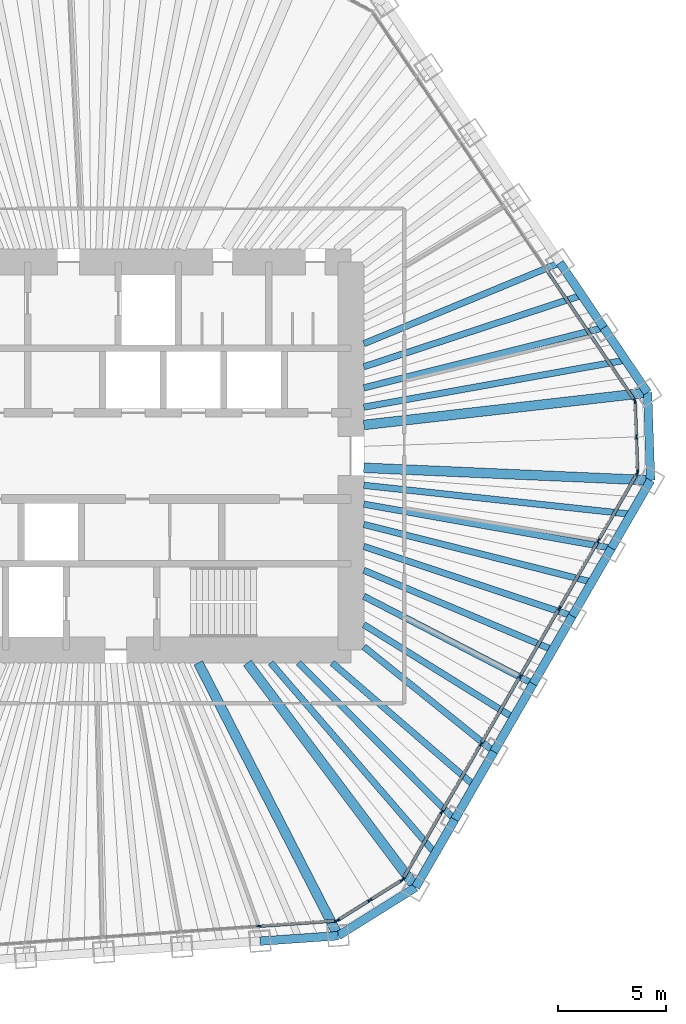
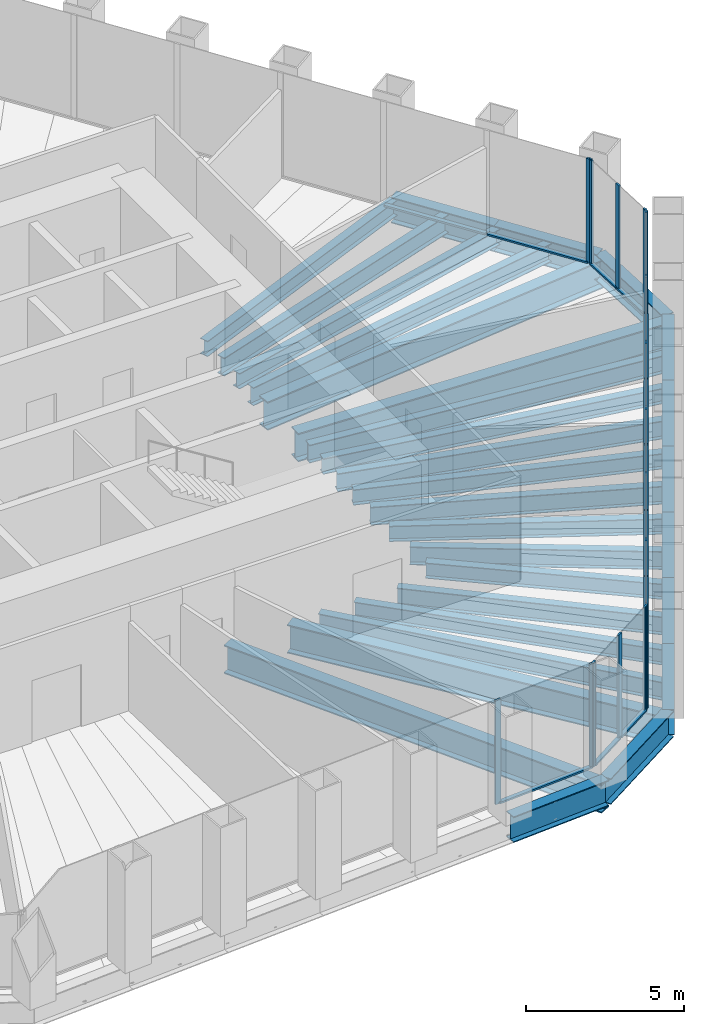
# One storey, part 4 of 13: 30 beams, 29 members, 5 elements without a shape of their own.
"""IFC4 building model written with IfcOpenShell, lengths in metres."""

import ifcopenshell
import ifcopenshell.guid

model = None  # the IFC model being written
_history = None  # IfcOwnerHistory: only IFC2X3 demands one
_inside = {}  # id of a spatial element -> (the spatial element, [elements in it])
_under = {}  # id of a project, library or spatial element -> (it, [spatial elements below it])
_declared = {}  # id of a project -> (the project, [libraries it declares])
_typed = {}  # id of a type object -> (the type object, [elements of that type])
_made_of = {}  # id of a material, layer set ... -> (it, [elements and type objects made of it])


def new_model(schema):
    """Start an empty IFC model of exactly this schema.

    Asked for "IFC4X3", IfcOpenShell would pick the latest addendum, in which some entities
    have other attributes; the version numbers below select the first issue.
    IFC2X3 requires an IfcOwnerHistory on every rooted entity: one is made here for all.
    """
    global model, _history
    if schema == "IFC4X3":
        model = ifcopenshell.file(schema_version=(4, 3, 0, 0))
    else:
        model = ifcopenshell.file(schema=schema)
    _inside.clear()
    _under.clear()
    _declared.clear()
    _typed.clear()
    _made_of.clear()
    _history = None
    if model.schema == "IFC2X3":
        org = make("IfcOrganization", Name="unknown")
        user = make(
            "IfcPersonAndOrganization",
            ThePerson=make("IfcPerson", FamilyName="unknown"),
            TheOrganization=org,
        )
        app = make(
            "IfcApplication",
            ApplicationDeveloper=org,
            Version="unknown",
            ApplicationFullName="unknown",
            ApplicationIdentifier="unknown",
        )
        _history = make(
            "IfcOwnerHistory",
            OwningUser=user,
            OwningApplication=app,
            ChangeAction="ADDED",
            CreationDate=0,
        )
    return model


def make(cls, **values):
    """One entity of the class cls with the attributes given. An attribute that is None is left unset."""
    return model.create_entity(
        cls, **{name: value for name, value in values.items() if value is not None}
    )


def rooted(cls, **values):
    """An entity with a GlobalId (a new one), such as an element, a storey or a relation."""
    return make(cls, GlobalId=ifcopenshell.guid.new(), OwnerHistory=_history, **values)


def si_unit(unit_type, name, prefix=None):
    """IfcSIUnit, for example si_unit("LENGTHUNIT", "METRE", prefix="MILLI")."""
    return make("IfcSIUnit", UnitType=unit_type, Prefix=prefix, Name=name)


def assignment(units):
    """IfcUnitAssignment: the units of a project."""
    return None if units is None else make("IfcUnitAssignment", Units=units)


def point(xyz):
    """IfcCartesianPoint."""
    return None if xyz is None else make("IfcCartesianPoint", Coordinates=xyz)


def direction(xyz):
    """IfcDirection."""
    return None if xyz is None else make("IfcDirection", DirectionRatios=xyz)


def frame(location, z_axis=None, x_axis=None):
    """IfcAxis2Placement3D, a coordinate frame: its origin and axes. An axis left out is left unset."""
    return make(
        "IfcAxis2Placement3D",
        Location=point(location),
        Axis=direction(z_axis),
        RefDirection=direction(x_axis),
    )


def frame_2d(location, x_axis=None):
    """IfcAxis2Placement2D, a coordinate frame in the plane: its origin and x axis."""
    return make(
        "IfcAxis2Placement2D", Location=point(location), RefDirection=direction(x_axis)
    )


def origin():
    """The frame at (0, 0, 0) with its axes left unset."""
    return frame((0.0, 0.0, 0.0))


def origin_2d():
    """The frame at (0, 0) in the plane with its x axis left unset."""
    return frame_2d((0.0, 0.0))


def place(relative_to, where):
    """IfcLocalPlacement: puts the frame where relative to a parent placement (None: the world)."""
    return make(
        "IfcLocalPlacement", PlacementRelTo=relative_to, RelativePlacement=where
    )


def context(
    kind, dimensions, precision=None, world=None, true_north=None, identifier=None
):
    """IfcGeometricRepresentationContext, for example the 3D "Model" context."""
    return make(
        "IfcGeometricRepresentationContext",
        ContextIdentifier=identifier,
        ContextType=kind,
        CoordinateSpaceDimension=dimensions,
        Precision=precision,
        WorldCoordinateSystem=world,
        TrueNorth=true_north,
    )


def subcontext(parent, identifier, kind, view, scale=None):
    """IfcGeometricRepresentationSubContext, for example "Body" below "Model"."""
    return make(
        "IfcGeometricRepresentationSubContext",
        ContextIdentifier=identifier,
        ContextType=kind,
        ParentContext=parent,
        TargetScale=scale,
        TargetView=view,
    )


def project(units=None, contexts=None):
    """IfcProject with its units and contexts."""
    return rooted(
        "IfcProject",
        Name="project",
        RepresentationContexts=contexts,
        UnitsInContext=assignment(units),
    )


def spatial(cls, under=None, at=None, **own):
    """A site, building, storey or space (cls), placed at a placement, below another one or the project."""
    s = rooted(cls, ObjectPlacement=at, **own)
    if under is not None:
        _under.setdefault(under.id(), (under, []))[1].append(s)
    return s


def profile(cls, at=None, kind="AREA", **sizes):
    """A parametric profile (cls). Its sizes go by their IFC names, for example OverallWidth=200.0."""
    return make(cls, ProfileType=kind, Position=at, **sizes)


def rectangle(**sizes):
    """IfcRectangleProfileDef."""
    return profile("IfcRectangleProfileDef", **sizes)


def i_section(**sizes):
    """IfcIShapeProfileDef."""
    return profile("IfcIShapeProfileDef", **sizes)


def extrude(swept, where, along, depth):
    """IfcExtrudedAreaSolid: the profile swept, set in the frame where, extruded along a direction by depth."""
    return make(
        "IfcExtrudedAreaSolid",
        SweptArea=swept,
        Position=where,
        ExtrudedDirection=direction(along),
        Depth=depth,
    )


def shape(context_of_items, identifier, shape_type, items):
    """IfcShapeRepresentation: the items that make up one representation, for example the "Body"."""
    return make(
        "IfcShapeRepresentation",
        ContextOfItems=context_of_items,
        RepresentationIdentifier=identifier,
        RepresentationType=shape_type,
        Items=items,
    )


def material(Name=None, Category=None):
    """IfcMaterial."""
    return make("IfcMaterial", Name=Name, Category=Category)


def material_profile(
    of_material, cross_section, Name=None, Category=None, Priority=None
):
    """IfcMaterialProfile: a cross section and its material."""
    return make(
        "IfcMaterialProfile",
        Name=Name,
        Material=of_material,
        Profile=cross_section,
        Priority=Priority,
        Category=Category,
    )


def profile_set(profiles, Name=None, composite=None):
    """IfcMaterialProfileSet."""
    return make(
        "IfcMaterialProfileSet",
        Name=Name,
        MaterialProfiles=profiles,
        CompositeProfile=composite,
    )


def made_of(thing, what):
    """Note that an element or type object is made of a material, layer set ...; save() writes the relation."""
    if what is not None:
        _made_of.setdefault(what.id(), (what, []))[1].append(thing)
    return thing


def type_object(cls, material=None, **own):
    """A type object (cls), such as IfcWallType, which elements share."""
    return made_of(rooted(cls, **own), material)


def element(
    cls,
    number,
    at=None,
    inside=None,
    cuts=None,
    type_object=None,
    material=None,
    context=None,
    identifier="Body",
    shape_type=None,
    held_by="IfcProductDefinitionShape",
    body=None,
    shapes=None,
    **own,
):
    """One element of the class cls, such as IfcWall. Its Tag is "e" and its number.

    at: its placement. inside: the storey or other place that contains it. cuts: it is an
    opening in that element (IfcRelVoidsElement). A single representation is given by context,
    identifier, shape_type and body (its items); several are given by shapes. held_by: the class
    of the entity that holds the representations. save() writes the other relations.
    """
    e = rooted(cls, Tag="e%d" % number, ObjectPlacement=at, **own)
    if body is not None:
        shapes = [shape(context, identifier, shape_type, body)]
    if shapes is not None:
        e.Representation = make(held_by, Representations=shapes)
    if inside is not None:
        _inside.setdefault(inside.id(), (inside, []))[1].append(e)
    if cuts is not None:
        rooted(
            "IfcRelVoidsElement", RelatingBuildingElement=cuts, RelatedOpeningElement=e
        )
    if type_object is not None:
        _typed.setdefault(type_object.id(), (type_object, []))[1].append(e)
    return made_of(e, material)


def aggregate(whole, parts):
    """IfcRelAggregates: a whole, such as a stair, and the parts it consists of."""
    return rooted("IfcRelAggregates", RelatingObject=whole, RelatedObjects=parts)


def save(model, path):
    """Write the relations noted so far, then the file.

    IfcRelAggregates (storeys below a building ...), IfcRelContainedInSpatialStructure (elements
    in a storey), IfcRelDefinesByType, IfcRelAssociatesMaterial and IfcRelDeclares: one each for
    every whole, place, type object, material and project.
    """
    for whole, parts in _under.values():
        aggregate(whole, parts)
    for where, things in _inside.values():
        rooted(
            "IfcRelContainedInSpatialStructure",
            RelatedElements=things,
            RelatingStructure=where,
        )
    for kind, things in _typed.values():
        rooted("IfcRelDefinesByType", RelatedObjects=things, RelatingType=kind)
    for what, things in _made_of.values():
        rooted("IfcRelAssociatesMaterial", RelatedObjects=things, RelatingMaterial=what)
    for by, libraries in _declared.values():
        rooted("IfcRelDeclares", RelatingContext=by, RelatedDefinitions=libraries)
    model.write(path)


model = new_model("IFC4")

# Units and contexts
model_context = context("Model", 3, precision=1e-05, world=origin(), true_north=direction((0.0, 1.0)))
body_context = subcontext(model_context, "Body", "Model", "MODEL_VIEW")
ifc_project = project(units=[si_unit("LENGTHUNIT", "METRE"), si_unit("AREAUNIT", "SQUARE_METRE"), si_unit("VOLUMEUNIT", "CUBIC_METRE"), si_unit("PLANEANGLEUNIT", "RADIAN"), si_unit("MASSUNIT", "GRAM", prefix="KILO")], contexts=[model_context])

# Site, building, storey
site_placement = place(None, origin())
site = spatial("IfcSite", under=ifc_project, at=site_placement, CompositionType="ELEMENT")
building_placement = place(site_placement, origin())
building = spatial("IfcBuilding", under=site, at=building_placement, Name="Qingtian Harvest Tower", CompositionType="ELEMENT")
storey_placement = place(building_placement, frame((0.0, 0.0, 222.39990234375)))
storey = spatial("IfcBuildingStorey", under=building, at=storey_placement, Name="L48", CompositionType="ELEMENT", Elevation=222.39990234375)

# Beams
ifc_material_1 = material(Name="Steel SM570MC", Category="steel")
ifc_material_profile_1 = material_profile(ifc_material_1, i_section(OverallWidth=0.449951171875, OverallDepth=1.10009765625, WebThickness=0.02197265625, FlangeThickness=0.044921875, at=origin_2d()), Name="H1100x450x22x45")
ifc_profile_set_1 = profile_set([ifc_material_profile_1], Name="Steel SM570MC")
beam_type_1 = type_object("IfcBeamType", Name="Corner floor beam FB8 H1100x450x22x45", PredefinedType="BEAM", material=ifc_profile_set_1)
beam_1_placement = place(storey_placement, frame((25.762451171875, 2.936279296875, -0.719970703125), z_axis=(-0.993566901619, -0.113246686522, 0.0), x_axis=(0.113246686522, -0.993566901619, 0.0)))
element("IfcBeam", 1, at=beam_1_placement, inside=storey, type_object=beam_type_1, Name="Floor beam FB8 NE6", PredefinedType="BEAM", context=body_context, shape_type="SweptSolid", body=[
    extrude(i_section(OverallWidth=0.449951171875, OverallDepth=1.10009765625, WebThickness=0.02197265625, FlangeThickness=0.044921875, at=origin_2d()), origin(), (0.0, 0.0, 1.0), 13.24755859375),
])
beam_2_placement = place(storey_placement, frame((25.904541015625, -1.1318359375, -0.719970703125), z_axis=(-0.999046865424, 0.043650437408, 0.0), x_axis=(-0.043650437408, -0.999046865424, 0.0)))
element("IfcBeam", 2, at=beam_2_placement, inside=storey, type_object=beam_type_1, Name="Floor beam FB8 SE0", PredefinedType="BEAM", context=body_context, shape_type="SweptSolid", body=[
    extrude(i_section(OverallWidth=0.449951171875, OverallDepth=1.10009765625, WebThickness=0.02197265625, FlangeThickness=0.044921875, at=origin_2d()), origin(), (0.0, 0.0, 1.0), 13.317138671875),
])
beam_3_placement = place(storey_placement, frame((15.00390625, -20.012451171875, -0.719970703125), z_axis=(-0.599858913609, 0.800105795357, 0.0), x_axis=(-0.800105795357, -0.599858913609, 0.0)))
element("IfcBeam", 3, at=beam_3_placement, inside=storey, type_object=beam_type_1, Name="Floor beam FB8 SE6", PredefinedType="BEAM", context=body_context, shape_type="SweptSolid", body=[
    extrude(i_section(OverallWidth=0.449951171875, OverallDepth=1.10009765625, WebThickness=0.02197265625, FlangeThickness=0.044921875, at=origin_2d()), origin(), (0.0, 0.0, 1.0), 13.013671875),
])
beam_4_placement = place(storey_placement, frame((11.40966796875, -22.25830078125, -0.719970703125), z_axis=(-0.456157396608, 0.889899111989, 0.0), x_axis=(-0.889899111989, -0.456157396608, 0.0)))
element("IfcBeam", 4, at=beam_4_placement, inside=storey, type_object=beam_type_1, Name="Floor beam FB8 S0", PredefinedType="BEAM", context=body_context, shape_type="SweptSolid", body=[
    extrude(i_section(OverallWidth=0.449951171875, OverallDepth=1.10009765625, WebThickness=0.02197265625, FlangeThickness=0.044921875, at=origin_2d()), origin(), (0.0, 0.0, 1.0), 14.224365234375),
])
ifc_material_2 = material(Name="Steel SN490B", Category="steel")
ifc_material_profile_2 = material_profile(ifc_material_2, i_section(OverallWidth=0.300048828125, OverallDepth=0.60009765625, WebThickness=0.011962890625, FlangeThickness=0.02001953125, at=origin_2d()), Name="H600x300x12x20")
ifc_profile_set_2 = profile_set([ifc_material_profile_2], Name="Steel SN490B")
beam_type_2 = type_object("IfcBeamType", Name="Floor beam FB3 H600x300x12x20", PredefinedType="BEAM", material=ifc_profile_set_2)
beam_5_placement = place(storey_placement, frame((21.69873046875, 8.9609375, -0.469970703125), z_axis=(-0.924281590361, -0.381711332973, 0.0), x_axis=(0.381711332973, -0.924281590361, 0.0)))
element("IfcBeam", 5, at=beam_5_placement, inside=storey, type_object=beam_type_2, Name="Floor beam FB3 NE4", PredefinedType="BEAM", context=body_context, shape_type="SweptSolid", body=[
    extrude(i_section(OverallWidth=0.300048828125, OverallDepth=0.60009765625, WebThickness=0.011962890625, FlangeThickness=0.02001953125, at=origin_2d()), origin(), (0.0, 0.0, 1.0), 9.843994140625),
])
beam_6_placement = place(storey_placement, frame((23.730712890625, 5.948486328125, -0.469970703125), z_axis=(-0.969990876487, -0.243141315972, 0.0), x_axis=(0.243141315972, -0.969990876487, 0.0)))
element("IfcBeam", 6, at=beam_6_placement, inside=storey, type_object=beam_type_2, Name="Floor beam FB3 NE5", PredefinedType="BEAM", context=body_context, shape_type="SweptSolid", body=[
    extrude(i_section(OverallWidth=0.300048828125, OverallDepth=0.60009765625, WebThickness=0.011962890625, FlangeThickness=0.02001953125, at=origin_2d()), origin(), (0.0, 0.0, 1.0), 11.474853515625),
])
beam_7_placement = place(storey_placement, frame((24.087890625, -4.27880859375, -0.469970703125), z_axis=(-0.98458469654, 0.174908477034, 0.0), x_axis=(-0.174908477034, -0.98458469654, 0.0)))
element("IfcBeam", 7, at=beam_7_placement, inside=storey, type_object=beam_type_2, Name="Floor beam FB3 SE1", PredefinedType="BEAM", context=body_context, shape_type="SweptSolid", body=[
    extrude(i_section(OverallWidth=0.300048828125, OverallDepth=0.60009765625, WebThickness=0.011962890625, FlangeThickness=0.02001953125, at=origin_2d()), origin(), (0.0, 0.0, 1.0), 11.667724609375),
])
beam_8_placement = place(storey_placement, frame((22.27099609375, -7.425537109375, -0.469970703125), z_axis=(-0.948654555734, 0.316313979908, 0.0), x_axis=(-0.316313979908, -0.948654555734, 0.0)))
element("IfcBeam", 8, at=beam_8_placement, inside=storey, type_object=beam_type_2, Name="Floor beam FB3 SE2", PredefinedType="BEAM", context=body_context, shape_type="SweptSolid", body=[
    extrude(i_section(OverallWidth=0.300048828125, OverallDepth=0.60009765625, WebThickness=0.011962890625, FlangeThickness=0.02001953125, at=origin_2d()), origin(), (0.0, 0.0, 1.0), 10.1943359375),
])
beam_9_placement = place(storey_placement, frame((20.454345703125, -10.572265625, -0.469970703125), z_axis=(-0.888343501027, 0.459179511938, 0.0), x_axis=(-0.459179511938, -0.888343501027, 0.0)))
element("IfcBeam", 9, at=beam_9_placement, inside=storey, type_object=beam_type_2, Name="Floor beam FB3 SE3", PredefinedType="BEAM", context=body_context, shape_type="SweptSolid", body=[
    extrude(i_section(OverallWidth=0.300048828125, OverallDepth=0.60009765625, WebThickness=0.011962890625, FlangeThickness=0.02001953125, at=origin_2d()), origin(), (0.0, 0.0, 1.0), 8.841552734375),
])
beam_10_placement = place(storey_placement, frame((18.637451171875, -13.718994140625, -0.469970703125), z_axis=(-0.77840907003, 0.62775737327, 0.0), x_axis=(-0.62775737327, -0.77840907003, 0.0)))
element("IfcBeam", 10, at=beam_10_placement, inside=storey, type_object=beam_type_2, Name="Floor beam FB3 SE4", PredefinedType="BEAM", context=body_context, shape_type="SweptSolid", body=[
    extrude(i_section(OverallWidth=0.300048828125, OverallDepth=0.60009765625, WebThickness=0.011962890625, FlangeThickness=0.02001953125, at=origin_2d()), origin(), (0.0, 0.0, 1.0), 7.756103515625),
])
beam_11_placement = place(storey_placement, frame((16.82080078125, -16.86572265625, -0.469970703125), z_axis=(-0.70616637797, 0.708045935392, 0.0), x_axis=(-0.708045935392, -0.70616637797, 0.0)))
element("IfcBeam", 11, at=beam_11_placement, inside=storey, type_object=beam_type_2, Name="Floor beam FB3 SE5", PredefinedType="BEAM", context=body_context, shape_type="SweptSolid", body=[
    extrude(i_section(OverallWidth=0.300048828125, OverallDepth=0.60009765625, WebThickness=0.011962890625, FlangeThickness=0.02001953125, at=origin_2d()), origin(), (0.0, 0.0, 1.0), 10.261474609375),
])
ifc_material_3 = material(Name="Steel SN490B", Category="steel")
ifc_material_profile_3 = material_profile(ifc_material_3, i_section(OverallWidth=0.300048828125, OverallDepth=0.699951171875, WebThickness=0.012939453125, FlangeThickness=0.02392578125, at=origin_2d()), Name="H700x300x13x24")
ifc_profile_set_3 = profile_set([ifc_material_profile_3], Name="Steel SN490B")
beam_type_3 = type_object("IfcBeamType", Name="Floor joist J2 H700x300x13x24", PredefinedType="JOIST", material=ifc_profile_set_3)
beam_12_placement = place(storey_placement, frame((22.71484375, 7.454833984375, -0.52001953125), z_axis=(-0.950138567513, -0.311828001508, 0.0), x_axis=(0.311828001508, -0.950138567513, 0.0)))
element("IfcBeam", 12, at=beam_12_placement, inside=storey, type_object=beam_type_3, Name="Floor joist J2 NE4", PredefinedType="JOIST", context=body_context, shape_type="SweptSolid", body=[
    extrude(i_section(OverallWidth=0.300048828125, OverallDepth=0.699951171875, WebThickness=0.012939453125, FlangeThickness=0.02392578125, at=origin_2d()), origin(), (0.0, 0.0, 1.0), 10.6455078125),
])
beam_13_placement = place(storey_placement, frame((24.74658203125, 4.4423828125, -0.52001953125), z_axis=(-0.98426723745, -0.176686177393, 0.0), x_axis=(0.176686177393, -0.98426723745, 0.0)))
element("IfcBeam", 13, at=beam_13_placement, inside=storey, type_object=beam_type_3, Name="Floor joist J2 NE5", PredefinedType="JOIST", context=body_context, shape_type="SweptSolid", body=[
    extrude(i_section(OverallWidth=0.300048828125, OverallDepth=0.699951171875, WebThickness=0.012939453125, FlangeThickness=0.02392578125, at=origin_2d()), origin(), (0.0, 0.0, 1.0), 12.340576171875),
])
beam_14_placement = place(storey_placement, frame((24.99609375, -2.705322265625, -0.52001953125), z_axis=(-0.994194656298, 0.107596400448, 0.0), x_axis=(-0.107596400448, -0.994194656298, 0.0)))
element("IfcBeam", 14, at=beam_14_placement, inside=storey, type_object=beam_type_3, Name="Floor joist J2 SE0", PredefinedType="JOIST", context=body_context, shape_type="SweptSolid", body=[
    extrude(i_section(OverallWidth=0.300048828125, OverallDepth=0.699951171875, WebThickness=0.012939453125, FlangeThickness=0.02392578125, at=origin_2d()), origin(), (0.0, 0.0, 1.0), 12.46826171875),
])
beam_15_placement = place(storey_placement, frame((23.179443359375, -5.85205078125, -0.52001953125), z_axis=(-0.969577887027, 0.244783007963, 0.0), x_axis=(-0.244783007963, -0.969577887027, 0.0)))
element("IfcBeam", 15, at=beam_15_placement, inside=storey, type_object=beam_type_3, Name="Floor joist J2 SE1", PredefinedType="JOIST", context=body_context, shape_type="SweptSolid", body=[
    extrude(i_section(OverallWidth=0.300048828125, OverallDepth=0.699951171875, WebThickness=0.012939453125, FlangeThickness=0.02392578125, at=origin_2d()), origin(), (0.0, 0.0, 1.0), 10.911376953125),
])
beam_16_placement = place(storey_placement, frame((21.362548828125, -8.998779296875, -0.52001953125), z_axis=(-0.921571079516, 0.388209666803, 0.0), x_axis=(-0.388209666803, -0.921571079516, 0.0)))
element("IfcBeam", 16, at=beam_16_placement, inside=storey, type_object=beam_type_3, Name="Floor joist J2 SE2", PredefinedType="JOIST", context=body_context, shape_type="SweptSolid", body=[
    extrude(i_section(OverallWidth=0.300048828125, OverallDepth=0.699951171875, WebThickness=0.012939453125, FlangeThickness=0.02392578125, at=origin_2d()), origin(), (0.0, 0.0, 1.0), 9.508056640625),
])
beam_17_placement = place(storey_placement, frame((19.5458984375, -12.1455078125, -0.52001953125), z_axis=(-0.849380822906, 0.527780463526, 0.0), x_axis=(-0.527780463526, -0.849380822906, 0.0)))
element("IfcBeam", 17, at=beam_17_placement, inside=storey, type_object=beam_type_3, Name="Floor joist J2 SE3", PredefinedType="JOIST", context=body_context, shape_type="SweptSolid", body=[
    extrude(i_section(OverallWidth=0.300048828125, OverallDepth=0.699951171875, WebThickness=0.012939453125, FlangeThickness=0.02392578125, at=origin_2d()), origin(), (0.0, 0.0, 1.0), 8.177490234375),
])
beam_18_placement = place(storey_placement, frame((17.72900390625, -15.292236328125, -0.52001953125), z_axis=(-0.757237954988, 0.653139096613, 0.0), x_axis=(-0.653139096613, -0.757237954988, 0.0)))
element("IfcBeam", 18, at=beam_18_placement, inside=storey, type_object=beam_type_3, Name="Floor joist J2 SE4", PredefinedType="JOIST", context=body_context, shape_type="SweptSolid", body=[
    extrude(i_section(OverallWidth=0.300048828125, OverallDepth=0.699951171875, WebThickness=0.012939453125, FlangeThickness=0.02392578125, at=origin_2d()), origin(), (0.0, 0.0, 1.0), 8.715087890625),
])
beam_19_placement = place(storey_placement, frame((15.912353515625, -18.43896484375, -0.52001953125), z_axis=(-0.653343257086, 0.757061812813, 0.0), x_axis=(-0.757061812813, -0.653343257086, 0.0)))
element("IfcBeam", 19, at=beam_19_placement, inside=storey, type_object=beam_type_3, Name="Floor joist J2 SE5", PredefinedType="JOIST", context=body_context, shape_type="SweptSolid", body=[
    extrude(i_section(OverallWidth=0.300048828125, OverallDepth=0.699951171875, WebThickness=0.012939453125, FlangeThickness=0.02392578125, at=origin_2d()), origin(), (0.0, 0.0, 1.0), 11.67529296875),
])

# Curtain wall, member
ifc_material_4 = material(Name="Bronze-anodised aluminium curtain wall", Category="aluminium")
curtain_wall_type = type_object("IfcCurtainWallType", Name="Curtain wall CW4 office", PredefinedType="USERDEFINED", material=ifc_material_4)
curtain_wall_1_placement = place(storey_placement, origin())
curtain_wall_1 = element("IfcCurtainWall", 20, at=curtain_wall_1_placement, inside=storey, type_object=curtain_wall_type, Name="Curtain wall CW4 L48 NE0-5", ObjectType="RECESSED CURTAIN WALL", PredefinedType="USERDEFINED")
ifc_material_5 = material(Name="Bronze-anodised aluminium mullion", Category="aluminium")
ifc_material_profile_4 = material_profile(ifc_material_5, rectangle(XDim=0.06494140625, YDim=0.199951171875, at=origin_2d()), Name="AL 65x200")
ifc_profile_set_4 = profile_set([ifc_material_profile_4], Name="Bronze-anodised aluminium mullion")
member_type_1 = type_object("IfcMemberType", Name="Mullion CWM 65x200", PredefinedType="MULLION", material=ifc_profile_set_4)
member_1_placement = place(storey_placement, frame((25.1640625, 2.57177734375, 0.0), z_axis=(0.0, 0.0, 1.0), x_axis=(0.829037572555, 0.559192903471, 0.0)))
member_1 = element("IfcMember", 21, at=member_1_placement, type_object=member_type_1, Name="CW4 mullion 7", PredefinedType="MULLION", context=body_context, shape_type="SweptSolid", body=[
    extrude(rectangle(XDim=0.06494140625, YDim=0.199951171875, at=origin_2d()), origin(), (0.0, 0.0, 1.0), 4.030029296875),
])

# Curtain wall, members
curtain_wall_2_placement = place(storey_placement, origin())
curtain_wall_2 = element("IfcCurtainWall", 22, at=curtain_wall_2_placement, inside=storey, type_object=curtain_wall_type, Name="Curtain wall CW4 L48 NEC", ObjectType="RECESSED CURTAIN WALL", PredefinedType="USERDEFINED")
member_2_placement = place(storey_placement, frame((25.183349609375, 2.51220703125, 0.0), z_axis=(0.0, 0.0, 1.0), x_axis=(0.999390827019, 0.034899496703, 0.0)))
member_2 = element("IfcMember", 23, at=member_2_placement, type_object=member_type_1, Name="CW4 mullion 1", PredefinedType="MULLION", context=body_context, shape_type="SweptSolid", body=[
    extrude(rectangle(XDim=0.06494140625, YDim=0.199951171875, at=origin_2d()), origin(), (0.0, 0.0, 1.0), 4.030029296875),
])
member_3_placement = place(storey_placement, frame((25.240234375, 0.88134765625, 0.0), z_axis=(0.0, 0.0, 1.0), x_axis=(0.999390827019, 0.034899496703, 0.0)))
member_3 = element("IfcMember", 24, at=member_3_placement, type_object=member_type_1, Name="CW4 mullion 2", PredefinedType="MULLION", context=body_context, shape_type="SweptSolid", body=[
    extrude(rectangle(XDim=0.06494140625, YDim=0.199951171875, at=origin_2d()), origin(), (0.0, 0.0, 1.0), 4.030029296875),
])
member_4_placement = place(storey_placement, frame((25.297119140625, -0.74951171875, 0.0), z_axis=(0.0, 0.0, 1.0), x_axis=(0.999390827019, 0.034899496703, 0.0)))
member_4 = element("IfcMember", 25, at=member_4_placement, type_object=member_type_1, Name="CW4 mullion 3", PredefinedType="MULLION", context=body_context, shape_type="SweptSolid", body=[
    extrude(rectangle(XDim=0.06494140625, YDim=0.199951171875, at=origin_2d()), origin(), (0.0, 0.0, 1.0), 4.030029296875),
])

curtain_wall_3_placement = place(storey_placement, origin())
curtain_wall_3 = element("IfcCurtainWall", 26, at=curtain_wall_3_placement, inside=storey, type_object=curtain_wall_type, Name="Curtain wall CW4 L48 SE0-5", ObjectType="RECESSED CURTAIN WALL", PredefinedType="USERDEFINED")
member_5_placement = place(storey_placement, frame((25.2822265625, -0.81005859375, 0.0), z_axis=(0.0, 0.0, 1.0), x_axis=(0.866025403784, -0.5, 0.0)))
member_5 = element("IfcMember", 27, at=member_5_placement, type_object=member_type_1, Name="CW4 mullion 1", PredefinedType="MULLION", context=body_context, shape_type="SweptSolid", body=[
    extrude(rectangle(XDim=0.06494140625, YDim=0.199951171875, at=origin_2d()), origin(), (0.0, 0.0, 1.0), 4.030029296875),
])
member_6_placement = place(storey_placement, frame((23.481689453125, -3.9287109375, 0.0), z_axis=(0.0, 0.0, 1.0), x_axis=(0.866025403784, -0.5, 0.0)))
member_6 = element("IfcMember", 28, at=member_6_placement, type_object=member_type_1, Name="CW4 mullion 2", PredefinedType="MULLION", context=body_context, shape_type="SweptSolid", body=[
    extrude(rectangle(XDim=0.06494140625, YDim=0.199951171875, at=origin_2d()), origin(), (0.0, 0.0, 1.0), 4.030029296875),
])
member_7_placement = place(storey_placement, frame((21.664794921875, -7.075439453125, 0.0), z_axis=(0.0, 0.0, 1.0), x_axis=(0.866025403784, -0.5, 0.0)))
member_7 = element("IfcMember", 29, at=member_7_placement, type_object=member_type_1, Name="CW4 mullion 3", PredefinedType="MULLION", context=body_context, shape_type="SweptSolid", body=[
    extrude(rectangle(XDim=0.06494140625, YDim=0.199951171875, at=origin_2d()), origin(), (0.0, 0.0, 1.0), 4.030029296875),
])
member_8_placement = place(storey_placement, frame((19.84814453125, -10.22216796875, 0.0), z_axis=(0.0, 0.0, 1.0), x_axis=(0.866025403784, -0.5, 0.0)))
member_8 = element("IfcMember", 30, at=member_8_placement, type_object=member_type_1, Name="CW4 mullion 4", PredefinedType="MULLION", context=body_context, shape_type="SweptSolid", body=[
    extrude(rectangle(XDim=0.06494140625, YDim=0.199951171875, at=origin_2d()), origin(), (0.0, 0.0, 1.0), 4.030029296875),
])
member_9_placement = place(storey_placement, frame((18.03125, -13.368896484375, 0.0), z_axis=(0.0, 0.0, 1.0), x_axis=(0.866025403784, -0.5, 0.0)))
member_9 = element("IfcMember", 31, at=member_9_placement, type_object=member_type_1, Name="CW4 mullion 5", PredefinedType="MULLION", context=body_context, shape_type="SweptSolid", body=[
    extrude(rectangle(XDim=0.06494140625, YDim=0.199951171875, at=origin_2d()), origin(), (0.0, 0.0, 1.0), 4.030029296875),
])
member_10_placement = place(storey_placement, frame((16.214599609375, -16.515625, 0.0), z_axis=(0.0, 0.0, 1.0), x_axis=(0.866025403784, -0.5, 0.0)))
member_10 = element("IfcMember", 32, at=member_10_placement, type_object=member_type_1, Name="CW4 mullion 6", PredefinedType="MULLION", context=body_context, shape_type="SweptSolid", body=[
    extrude(rectangle(XDim=0.06494140625, YDim=0.199951171875, at=origin_2d()), origin(), (0.0, 0.0, 1.0), 4.030029296875),
])
member_11_placement = place(storey_placement, frame((14.4140625, -19.63427734375, 0.0), z_axis=(0.0, 0.0, 1.0), x_axis=(0.866025403784, -0.5, 0.0)))
member_11 = element("IfcMember", 33, at=member_11_placement, type_object=member_type_1, Name="CW4 mullion 7", PredefinedType="MULLION", context=body_context, shape_type="SweptSolid", body=[
    extrude(rectangle(XDim=0.06494140625, YDim=0.199951171875, at=origin_2d()), origin(), (0.0, 0.0, 1.0), 4.030029296875),
])

curtain_wall_4_placement = place(storey_placement, origin())
curtain_wall_4 = element("IfcCurtainWall", 34, at=curtain_wall_4_placement, inside=storey, type_object=curtain_wall_type, Name="Curtain wall CW4 L48 SEC", ObjectType="RECESSED CURTAIN WALL", PredefinedType="USERDEFINED")
member_12_placement = place(storey_placement, frame((14.3701171875, -19.6796875, 0.0), z_axis=(0.0, 0.0, 1.0), x_axis=(0.529919264233, -0.848048096156, 0.0)))
member_12 = element("IfcMember", 35, at=member_12_placement, type_object=member_type_1, Name="CW4 mullion 1", PredefinedType="MULLION", context=body_context, shape_type="SweptSolid", body=[
    extrude(rectangle(XDim=0.06494140625, YDim=0.199951171875, at=origin_2d()), origin(), (0.0, 0.0, 1.0), 4.030029296875),
])
member_13_placement = place(storey_placement, frame((12.87939453125, -20.611328125, 0.0), z_axis=(0.0, 0.0, 1.0), x_axis=(0.529919264233, -0.848048096156, 0.0)))
member_13 = element("IfcMember", 36, at=member_13_placement, type_object=member_type_1, Name="CW4 mullion 2", PredefinedType="MULLION", context=body_context, shape_type="SweptSolid", body=[
    extrude(rectangle(XDim=0.06494140625, YDim=0.199951171875, at=origin_2d()), origin(), (0.0, 0.0, 1.0), 4.030029296875),
])
member_14_placement = place(storey_placement, frame((11.388427734375, -21.542724609375, 0.0), z_axis=(0.0, 0.0, 1.0), x_axis=(0.529919264233, -0.848048096156, 0.0)))
member_14 = element("IfcMember", 37, at=member_14_placement, type_object=member_type_1, Name="CW4 mullion 3", PredefinedType="MULLION", context=body_context, shape_type="SweptSolid", body=[
    extrude(rectangle(XDim=0.06494140625, YDim=0.199951171875, at=origin_2d()), origin(), (0.0, 0.0, 1.0), 4.030029296875),
])

curtain_wall_5_placement = place(storey_placement, origin())
curtain_wall_5 = element("IfcCurtainWall", 38, at=curtain_wall_5_placement, inside=storey, type_object=curtain_wall_type, Name="Curtain wall CW4 L48 S0-5", ObjectType="RECESSED CURTAIN WALL", PredefinedType="USERDEFINED")
member_15_placement = place(storey_placement, frame((11.32861328125, -21.562255859375, 0.0), z_axis=(0.0, 0.0, 1.0), x_axis=(0.069756473744, -0.99756405026, 0.0)))
member_15 = element("IfcMember", 39, at=member_15_placement, type_object=member_type_1, Name="CW4 mullion 1", PredefinedType="MULLION", context=body_context, shape_type="SweptSolid", body=[
    extrude(rectangle(XDim=0.06494140625, YDim=0.199951171875, at=origin_2d()), origin(), (0.0, 0.0, 1.0), 4.030029296875),
])
member_16_placement = place(storey_placement, frame((7.736328125, -21.8134765625, 0.0), z_axis=(0.0, 0.0, 1.0), x_axis=(0.069756473744, -0.99756405026, 0.0)))
member_16 = element("IfcMember", 40, at=member_16_placement, type_object=member_type_1, Name="CW4 mullion 2", PredefinedType="MULLION", context=body_context, shape_type="SweptSolid", body=[
    extrude(rectangle(XDim=0.06494140625, YDim=0.199951171875, at=origin_2d()), origin(), (0.0, 0.0, 1.0), 4.030029296875),
])

# Beams
ifc_material_6 = material(Name="Steel SN490B", Category="steel")
ifc_material_profile_5 = material_profile(ifc_material_6, i_section(OverallWidth=0.39990234375, OverallDepth=1.0, WebThickness=0.01904296875, FlangeThickness=0.035888671875, at=origin_2d()), Name="H1000x400x19x36")
ifc_profile_set_5 = profile_set([ifc_material_profile_5], Name="Steel SN490B")
beam_type_4 = type_object("IfcBeamType", Name="Spandrel beam SB3 H1000x400x19x36", PredefinedType="SPANDREL", material=ifc_profile_set_5)
beam_20_placement = place(storey_placement, frame((21.69873046875, 8.9609375, -0.5), z_axis=(0.55920395902, -0.829030115385, 0.0), x_axis=(0.829030115385, 0.55920395902, 0.0)))
element("IfcBeam", 41, at=beam_20_placement, inside=storey, type_object=beam_type_4, Name="Spandrel SB3 NE4", PredefinedType="SPANDREL", context=body_context, shape_type="SweptSolid", body=[
    extrude(i_section(OverallWidth=0.39990234375, OverallDepth=1.0, WebThickness=0.01904296875, FlangeThickness=0.035888671875, at=origin_2d()), origin(), (0.0, 0.0, 1.0), 3.6337890625),
])
beam_21_placement = place(storey_placement, frame((23.730712890625, 5.948486328125, -0.5), z_axis=(0.559188928021, -0.829040254016, 0.0), x_axis=(0.829040254016, 0.559188928021, 0.0)))
element("IfcBeam", 42, at=beam_21_placement, inside=storey, type_object=beam_type_4, Name="Spandrel SB3 NE5", PredefinedType="SPANDREL", context=body_context, shape_type="SweptSolid", body=[
    extrude(i_section(OverallWidth=0.39990234375, OverallDepth=1.0, WebThickness=0.01904296875, FlangeThickness=0.035888671875, at=origin_2d()), origin(), (0.0, 0.0, 1.0), 3.63330078125),
])
beam_22_placement = place(storey_placement, frame((25.762451171875, 2.936279296875, -0.5), z_axis=(0.03490639867, -0.999390585973, 0.0), x_axis=(0.999390585973, 0.03490639867, 0.0)))
element("IfcBeam", 43, at=beam_22_placement, inside=storey, type_object=beam_type_4, Name="Spandrel SB3 NEC", PredefinedType="SPANDREL", context=body_context, shape_type="SweptSolid", body=[
    extrude(i_section(OverallWidth=0.39990234375, OverallDepth=1.0, WebThickness=0.01904296875, FlangeThickness=0.035888671875, at=origin_2d()), origin(), (0.0, 0.0, 1.0), 4.070556640625),
])
beam_23_placement = place(storey_placement, frame((25.904541015625, -1.1318359375, -0.5), z_axis=(-0.499947341849, -0.866055803848, 0.0), x_axis=(0.866055803848, -0.499947341849, 0.0)))
element("IfcBeam", 44, at=beam_23_placement, inside=storey, type_object=beam_type_4, Name="Spandrel SB3 SE0", PredefinedType="SPANDREL", context=body_context, shape_type="SweptSolid", body=[
    extrude(i_section(OverallWidth=0.39990234375, OverallDepth=1.0, WebThickness=0.01904296875, FlangeThickness=0.035888671875, at=origin_2d()), origin(), (0.0, 0.0, 1.0), 3.6337890625),
])
for number, where, z_axis, x_axis, name in (
    (45, (24.087890625, -4.27880859375, -0.5), (-0.500026827678, -0.866009914263, 0.0), (0.866009914263, -0.500026827678, 0.0), "Spandrel SB3 SE1"),
    (46, (22.27099609375, -7.425537109375, -0.5), (-0.499976434558, -0.866039008871, 0.0), (0.866039008871, -0.499976434558, 0.0), "Spandrel SB3 SE2"),
    (47, (20.454345703125, -10.572265625, -0.5), (-0.500026827678, -0.866009914263, 0.0), (0.866009914263, -0.500026827678, 0.0), "Spandrel SB3 SE3"),
    (48, (18.637451171875, -13.718994140625, -0.5), (-0.499976434558, -0.866039008871, 0.0), (0.866039008871, -0.499976434558, 0.0), "Spandrel SB3 SE4"),
    (49, (16.82080078125, -16.86572265625, -0.5), (-0.500026827678, -0.866009914263, 0.0), (0.866009914263, -0.500026827678, 0.0), "Spandrel SB3 SE5"),
):
    element("IfcBeam", number, at=place(storey_placement, frame(where, z_axis=z_axis, x_axis=x_axis)), inside=storey, type_object=beam_type_4, Name=name, PredefinedType="SPANDREL", context=body_context, shape_type="SweptSolid", body=[
        extrude(i_section(OverallWidth=0.39990234375, OverallDepth=1.0, WebThickness=0.01904296875, FlangeThickness=0.035888671875, at=origin_2d()), origin(), (0.0, 0.0, 1.0), 3.633544921875),
    ])
beam_24_placement = place(storey_placement, frame((15.00390625, -20.012451171875, -0.5), z_axis=(-0.848056550838, -0.529905733675, 0.0), x_axis=(0.529905733675, -0.848056550838, 0.0)))
element("IfcBeam", 50, at=beam_24_placement, inside=storey, type_object=beam_type_4, Name="Spandrel SB3 SEC", PredefinedType="SPANDREL", context=body_context, shape_type="SweptSolid", body=[
    extrude(i_section(OverallWidth=0.39990234375, OverallDepth=1.0, WebThickness=0.01904296875, FlangeThickness=0.035888671875, at=origin_2d()), origin(), (0.0, 0.0, 1.0), 4.23828125),
])
beam_25_placement = place(storey_placement, frame((11.40966796875, -22.25830078125, -0.5), z_axis=(-0.997564674207, -0.069747550305, 0.0), x_axis=(0.069747550305, -0.997564674207, 0.0)))
element("IfcBeam", 51, at=beam_25_placement, inside=storey, type_object=beam_type_4, Name="Spandrel SB3 S0", PredefinedType="SPANDREL", context=body_context, shape_type="SweptSolid", body=[
    extrude(i_section(OverallWidth=0.39990234375, OverallDepth=1.0, WebThickness=0.01904296875, FlangeThickness=0.035888671875, at=origin_2d()), origin(), (0.0, 0.0, 1.0), 3.63330078125),
])

# Member
ifc_material_7 = material(Name="Bronze-anodised aluminium transom", Category="aluminium")
ifc_material_profile_6 = material_profile(ifc_material_7, rectangle(XDim=0.14990234375, YDim=0.06494140625, at=origin_2d()), Name="AL 65x150")
ifc_profile_set_6 = profile_set([ifc_material_profile_6], Name="Bronze-anodised aluminium transom")
member_type_2 = type_object("IfcMemberType", Name="Transom CWT 65x150", PredefinedType="USERDEFINED", material=ifc_profile_set_6)
member_17_placement = place(storey_placement, frame((21.13671875, 8.54248046875, 0.03271484375), z_axis=(0.559160259871, -0.829059590006, 0.0), x_axis=(0.829059590006, 0.559160259871, 0.0)))
member_17 = element("IfcMember", 52, at=member_17_placement, type_object=member_type_2, Name="CW4 transom 5.1", ObjectType="TRANSOM", PredefinedType="USERDEFINED", context=body_context, shape_type="SweptSolid", body=[
    extrude(rectangle(XDim=0.14990234375, YDim=0.06494140625, at=origin_2d()), origin(), (0.0, 0.0, 1.0), 3.568603515625),
])

member_18_placement = place(storey_placement, frame((23.16845703125, 5.5302734375, 0.03271484375), z_axis=(0.559169259008, -0.829053520456, 0.0), x_axis=(0.829053520456, 0.559169259008, 0.0)))
member_18 = element("IfcMember", 53, at=member_18_placement, type_object=member_type_2, Name="CW4 transom 6.1", ObjectType="TRANSOM", PredefinedType="USERDEFINED", context=body_context, shape_type="SweptSolid", body=[
    extrude(rectangle(XDim=0.14990234375, YDim=0.06494140625, at=origin_2d()), origin(), (0.0, 0.0, 1.0), 3.5361328125),
])

aggregate(curtain_wall_1, [member_1, member_17, member_18])

member_19_placement = place(storey_placement, frame((25.1845703125, 2.479736328125, 0.03271484375), z_axis=(0.034902326647, -0.999390728191, 0.0), x_axis=(0.999390728191, 0.034902326647, 0.0)))
member_19 = element("IfcMember", 54, at=member_19_placement, type_object=member_type_2, Name="CW4 transom 1.1", ObjectType="TRANSOM", PredefinedType="USERDEFINED", context=body_context, shape_type="SweptSolid", body=[
    extrude(rectangle(XDim=0.14990234375, YDim=0.06494140625, at=origin_2d()), origin(), (0.0, 0.0, 1.0), 1.56689453125),
])

member_20_placement = place(storey_placement, frame((25.241455078125, 0.848876953125, 0.03271484375), z_axis=(0.034902326647, -0.999390728191, 0.0), x_axis=(0.999390728191, 0.034902326647, 0.0)))
member_20 = element("IfcMember", 55, at=member_20_placement, type_object=member_type_2, Name="CW4 transom 2.1", ObjectType="TRANSOM", PredefinedType="USERDEFINED", context=body_context, shape_type="SweptSolid", body=[
    extrude(rectangle(XDim=0.14990234375, YDim=0.06494140625, at=origin_2d()), origin(), (0.0, 0.0, 1.0), 1.56689453125),
])

aggregate(curtain_wall_2, [member_2, member_3, member_4, member_19, member_20])

member_21_placement = place(storey_placement, frame((25.265869140625, -0.838134765625, 0.03271484375), z_axis=(-0.499985409597, -0.866033827394, 0.0), x_axis=(0.866033827394, -0.499985409597, 0.0)))
member_21 = element("IfcMember", 56, at=member_21_placement, type_object=member_type_2, Name="CW4 transom 1.1", ObjectType="TRANSOM", PredefinedType="USERDEFINED", context=body_context, shape_type="SweptSolid", body=[
    extrude(rectangle(XDim=0.14990234375, YDim=0.06494140625, at=origin_2d()), origin(), (0.0, 0.0, 1.0), 3.5361328125),
])

member_22_placement = place(storey_placement, frame((23.46533203125, -3.956787109375, 0.03271484375), z_axis=(-0.499965259726, -0.866045460162, 0.0), x_axis=(0.866045460162, -0.499965259726, 0.0)))
member_22 = element("IfcMember", 57, at=member_22_placement, type_object=member_type_2, Name="CW4 transom 2.1", ObjectType="TRANSOM", PredefinedType="USERDEFINED", context=body_context, shape_type="SweptSolid", body=[
    extrude(rectangle(XDim=0.14990234375, YDim=0.06494140625, at=origin_2d()), origin(), (0.0, 0.0, 1.0), 3.568603515625),
])

member_23_placement = place(storey_placement, frame((21.648681640625, -7.103515625, 0.03271484375), z_axis=(-0.500016569533, -0.866015837149, 0.0), x_axis=(0.866015837149, -0.500016569533, 0.0)))
member_23 = element("IfcMember", 58, at=member_23_placement, type_object=member_type_2, Name="CW4 transom 3.1", ObjectType="TRANSOM", PredefinedType="USERDEFINED", context=body_context, shape_type="SweptSolid", body=[
    extrude(rectangle(XDim=0.14990234375, YDim=0.06494140625, at=origin_2d()), origin(), (0.0, 0.0, 1.0), 3.56884765625),
])

member_24_placement = place(storey_placement, frame((19.831787109375, -10.250244140625, 0.03271484375), z_axis=(-0.499965259726, -0.866045460162, 0.0), x_axis=(0.866045460162, -0.499965259726, 0.0)))
member_24 = element("IfcMember", 59, at=member_24_placement, type_object=member_type_2, Name="CW4 transom 4.1", ObjectType="TRANSOM", PredefinedType="USERDEFINED", context=body_context, shape_type="SweptSolid", body=[
    extrude(rectangle(XDim=0.14990234375, YDim=0.06494140625, at=origin_2d()), origin(), (0.0, 0.0, 1.0), 3.568603515625),
])

member_25_placement = place(storey_placement, frame((18.014892578125, -13.39697265625, 0.03271484375), z_axis=(-0.499965259726, -0.866045460162, 0.0), x_axis=(0.866045460162, -0.499965259726, 0.0)))
member_25 = element("IfcMember", 60, at=member_25_placement, type_object=member_type_2, Name="CW4 transom 5.1", ObjectType="TRANSOM", PredefinedType="USERDEFINED", context=body_context, shape_type="SweptSolid", body=[
    extrude(rectangle(XDim=0.14990234375, YDim=0.06494140625, at=origin_2d()), origin(), (0.0, 0.0, 1.0), 3.568603515625),
])

member_26_placement = place(storey_placement, frame((16.1982421875, -16.5439453125, 0.03271484375), z_axis=(-0.500015305566, -0.866016566931, 0.0), x_axis=(0.866016566931, -0.500015305566, 0.0)))
member_26 = element("IfcMember", 61, at=member_26_placement, type_object=member_type_2, Name="CW4 transom 6.1", ObjectType="TRANSOM", PredefinedType="USERDEFINED", context=body_context, shape_type="SweptSolid", body=[
    extrude(rectangle(XDim=0.14990234375, YDim=0.06494140625, at=origin_2d()), origin(), (0.0, 0.0, 1.0), 3.5361328125),
])

aggregate(curtain_wall_3, [member_5, member_6, member_7, member_8, member_9, member_10, member_11, member_21, member_22, member_23, member_24, member_25, member_26])

member_27_placement = place(storey_placement, frame((14.342529296875, -19.69677734375, 0.03271484375), z_axis=(-0.847998304005, -0.529998940003, 0.0), x_axis=(0.529998940003, -0.847998304005, 0.0)))
member_27 = element("IfcMember", 62, at=member_27_placement, type_object=member_type_2, Name="CW4 transom 1.1", ObjectType="TRANSOM", PredefinedType="USERDEFINED", context=body_context, shape_type="SweptSolid", body=[
    extrude(rectangle(XDim=0.14990234375, YDim=0.06494140625, at=origin_2d()), origin(), (0.0, 0.0, 1.0), 1.69287109375),
])

member_28_placement = place(storey_placement, frame((12.851806640625, -20.62841796875, 0.03271484375), z_axis=(-0.84803880708, -0.529934129573, 0.0), x_axis=(0.529934129573, -0.84803880708, 0.0)))
member_28 = element("IfcMember", 63, at=member_28_placement, type_object=member_type_2, Name="CW4 transom 2.1", ObjectType="TRANSOM", PredefinedType="USERDEFINED", context=body_context, shape_type="SweptSolid", body=[
    extrude(rectangle(XDim=0.14990234375, YDim=0.06494140625, at=origin_2d()), origin(), (0.0, 0.0, 1.0), 1.693115234375),
])

aggregate(curtain_wall_4, [member_12, member_13, member_14, member_27, member_28])

member_29_placement = place(storey_placement, frame((11.296142578125, -21.564453125, 0.03271484375), z_axis=(-0.997561034679, -0.069799585166, 0.0), x_axis=(0.069799585166, -0.997561034679, 0.0)))
member_29 = element("IfcMember", 64, at=member_29_placement, type_object=member_type_2, Name="CW4 transom 1.1", ObjectType="TRANSOM", PredefinedType="USERDEFINED", context=body_context, shape_type="SweptSolid", body=[
    extrude(rectangle(XDim=0.14990234375, YDim=0.06494140625, at=origin_2d()), origin(), (0.0, 0.0, 1.0), 3.5361328125),
])

aggregate(curtain_wall_5, [member_15, member_16, member_29])

save(model, "model.ifc")
